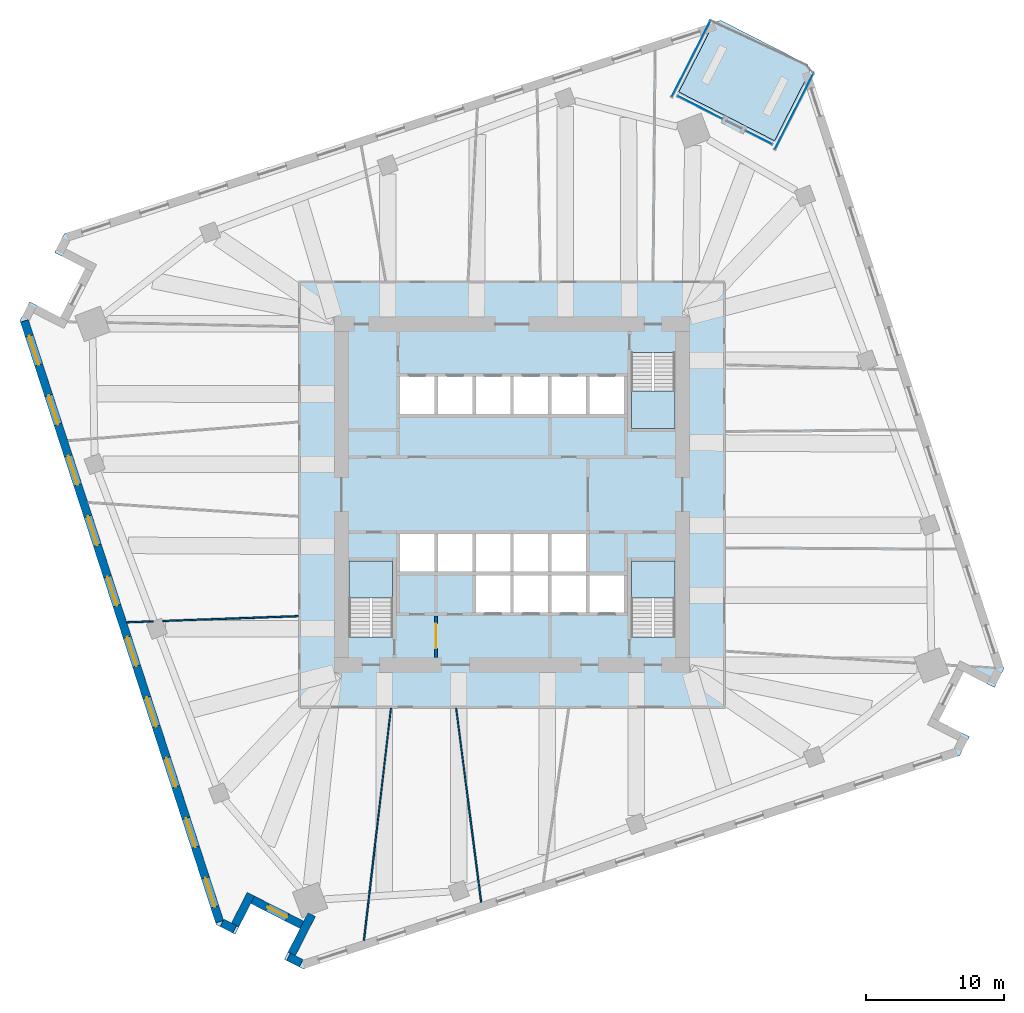
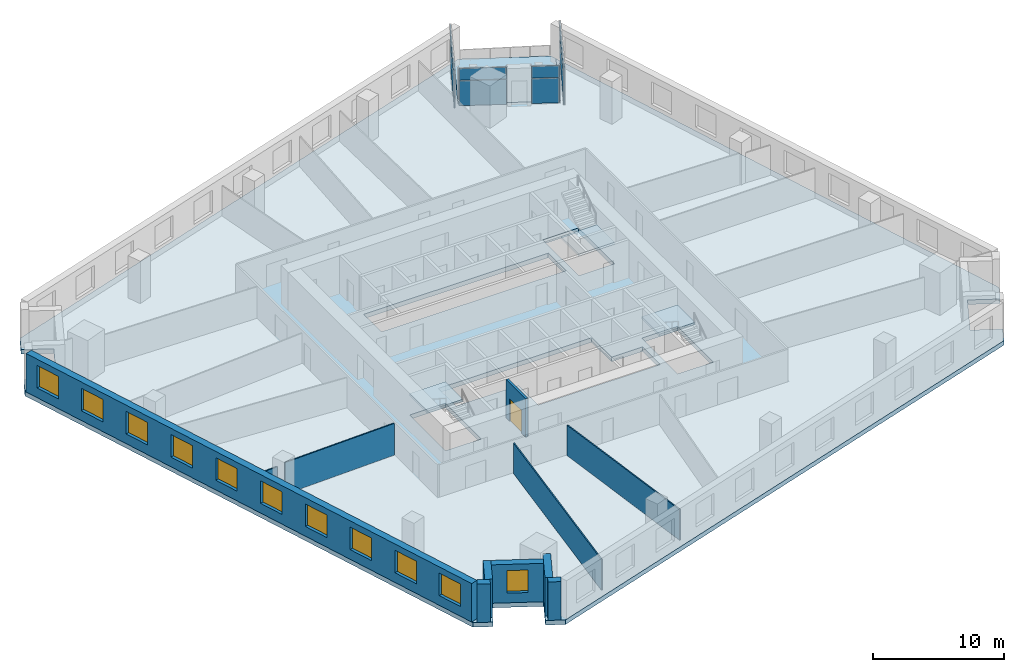
# One storey, part 5 of 12: 11 walls, 11 windows, 8 plates, 5 slabs, 1 door, 12 openings, 7 elements without a shape of their own.
"""IFC4 building model written with IfcOpenShell, lengths in metres."""

from ifc_helpers import new_model, si_unit, direction, frame, frame_2d, origin, origin_2d, place, context, subcontext, project, spatial, polyline, rectangle, outline, extrude, material, layer, layer_set, type_object, element, fill, aggregate, save


model = new_model("IFC4")

# Units and contexts
model_context = context("Model", 3, precision=1e-05, world=origin(), true_north=direction((0.0, 1.0)))
body_context = subcontext(model_context, "Body", "Model", "MODEL_VIEW")
ifc_project = project(units=[si_unit("LENGTHUNIT", "METRE"), si_unit("AREAUNIT", "SQUARE_METRE"), si_unit("VOLUMEUNIT", "CUBIC_METRE"), si_unit("PLANEANGLEUNIT", "RADIAN"), si_unit("MASSUNIT", "GRAM", prefix="KILO")], contexts=[model_context])

# Site, building, storey
site_placement = place(None, origin())
site = spatial("IfcSite", under=ifc_project, at=site_placement, CompositionType="ELEMENT")
building_placement = place(site_placement, origin())
building = spatial("IfcBuilding", under=site, at=building_placement, Name="Dilmun Exchange Tower", CompositionType="ELEMENT")
storey_placement = place(building_placement, frame((0.0, 0.0, 98.10009765625)))
storey = spatial("IfcBuildingStorey", under=building, at=storey_placement, Name="L22", CompositionType="ELEMENT", Elevation=98.10009765625)

# Stair, slab
ifc_material_1 = material(Name="Concrete C40/50", Category="concrete")
stair_type = type_object("IfcStairType", Name="Exit stair 1500 half-turn", PredefinedType="HALF_TURN_STAIR", material=ifc_material_1)
stair_1_placement = place(storey_placement, origin())
stair_1 = element("IfcStair", 1, at=stair_1_placement, inside=storey, type_object=stair_type, Name="L22 Protected exit stair ST1", PredefinedType="HALF_TURN_STAIR")
ifc_layer_1 = layer(ifc_material_1, 0.199951171875)
ifc_layer_set_1 = layer_set([ifc_layer_1], Name="Concrete C40/50")
slab_type_1 = type_object("IfcSlabType", Name="Exit stair landing 200", PredefinedType="LANDING", material=ifc_layer_set_1)
slab_1_placement = place(storey_placement, frame((0.0, 0.0, 1.7998046875)))
slab_1 = element("IfcSlab", 2, at=slab_1_placement, type_object=slab_type_1, Name="ST1 landing 1", PredefinedType="LANDING", context=body_context, shape_type="SweptSolid", body=[
    extrude(outline(polyline([(8.64990234375, 7.5), (8.64990234375, 4.800048828125), (11.800048828125, 4.800048828125), (11.800048828125, 7.5), (8.64990234375, 7.5)])), origin(), (0.0, 0.0, 1.0), 0.2001953125),
])
aggregate(stair_1, [slab_1])

stair_2_placement = place(storey_placement, origin())
stair_2 = element("IfcStair", 3, at=stair_2_placement, inside=storey, type_object=stair_type, Name="L22 Protected exit stair ST2", PredefinedType="HALF_TURN_STAIR")
slab_2_placement = place(storey_placement, frame((0.0, 0.0, 1.7998046875)))
slab_2 = element("IfcSlab", 4, at=slab_2_placement, type_object=slab_type_1, Name="ST2 landing 1", PredefinedType="LANDING", context=body_context, shape_type="SweptSolid", body=[
    extrude(outline(polyline([(-8.64990234375, -7.5), (-8.64990234375, -4.800048828125), (-11.800048828125, -4.800048828125), (-11.800048828125, -7.5), (-8.64990234375, -7.5)])), origin(), (0.0, 0.0, 1.0), 0.2001953125),
])
aggregate(stair_2, [slab_2])

stair_3_placement = place(storey_placement, origin())
stair_3 = element("IfcStair", 5, at=stair_3_placement, inside=storey, type_object=stair_type, Name="L22 Protected exit stair ST3", PredefinedType="HALF_TURN_STAIR")
slab_3_placement = place(storey_placement, frame((0.0, 0.0, 1.7998046875)))
slab_3 = element("IfcSlab", 6, at=slab_3_placement, type_object=slab_type_1, Name="ST3 landing 1", PredefinedType="LANDING", context=body_context, shape_type="SweptSolid", body=[
    extrude(outline(polyline([(11.800048828125, -7.5), (11.800048828125, -4.800048828125), (8.64990234375, -4.800048828125), (8.64990234375, -7.5), (11.800048828125, -7.5)])), origin(), (0.0, 0.0, 1.0), 0.2001953125),
])
aggregate(stair_3, [slab_3])

# Curtain wall, plates
ifc_material_2 = material(Name="Anodised aluminium and clear glass", Category="aluminium")
curtain_wall_type = type_object("IfcCurtainWallType", Name="Garden corner glazing", PredefinedType="NOTDEFINED", material=ifc_material_2)
curtain_wall_1_placement = place(storey_placement, origin())
curtain_wall_1 = element("IfcCurtainWall", 7, at=curtain_wall_1_placement, inside=storey, type_object=curtain_wall_type, Name="Garden corner glazing run GC1.1", PredefinedType="NOTDEFINED")
ifc_material_3 = material(Name="Clear glass", Category="glass")
ifc_layer_2 = layer(ifc_material_3, 0.028076171875)
ifc_layer_set_2 = layer_set([ifc_layer_2], Name="Clear glass")
plate_type = type_object("IfcPlateType", Name="Garden corner glazing glass panel 28", PredefinedType="CURTAIN_PANEL", material=ifc_layer_set_2)
plate_1_placement = place(storey_placement, frame((20.42822265625, 27.750244140625, 0.059814453125), z_axis=(0.0, 0.0, 1.0), x_axis=(-0.453988613418, -0.891007485315, 0.0)))
plate_1 = element("IfcPlate", 8, at=plate_1_placement, type_object=plate_type, Name="GC1.1 panel 1.1", PredefinedType="CURTAIN_PANEL", context=body_context, shape_type="SweptSolid", body=[
    extrude(rectangle(XDim=6.12646484375, YDim=0.028076171875, at=origin_2d()), origin(), (0.0, 0.0, 1.0), 2.31005859375),
])
plate_2_placement = place(storey_placement, frame((20.42822265625, 27.750244140625, 2.4296875), z_axis=(0.0, 0.0, 1.0), x_axis=(-0.453988613418, -0.891007485315, 0.0)))
plate_2 = element("IfcPlate", 9, at=plate_2_placement, type_object=plate_type, Name="GC1.1 panel 1.2", PredefinedType="CURTAIN_PANEL", context=body_context, shape_type="SweptSolid", body=[
    extrude(rectangle(XDim=6.12646484375, YDim=0.028076171875, at=origin_2d()), origin(), (0.0, 0.0, 1.0), 1.090087890625),
])
aggregate(curtain_wall_1, [plate_1, plate_2])

curtain_wall_2_placement = place(storey_placement, origin())
curtain_wall_2 = element("IfcCurtainWall", 10, at=curtain_wall_2_placement, inside=storey, type_object=curtain_wall_type, Name="Garden corner glazing run GC2.1", PredefinedType="NOTDEFINED")
plate_3_placement = place(storey_placement, frame((17.881591796875, 25.879150390625, 0.059814453125), z_axis=(0.0, 0.0, 1.0), x_axis=(-0.891016319837, 0.453971274184, 0.0)))
plate_3 = element("IfcPlate", 11, at=plate_3_placement, type_object=plate_type, Name="GC2.1 panel 1.1", PredefinedType="CURTAIN_PANEL", context=body_context, shape_type="SweptSolid", body=[
    extrude(rectangle(XDim=2.119140625, YDim=0.028076171875, at=origin_2d()), origin(), (0.0, 0.0, 1.0), 2.31005859375),
])
plate_4_placement = place(storey_placement, frame((17.881591796875, 25.879150390625, 2.4296875), z_axis=(0.0, 0.0, 1.0), x_axis=(-0.891016319837, 0.453971274184, 0.0)))
plate_4 = element("IfcPlate", 12, at=plate_4_placement, type_object=plate_type, Name="GC2.1 panel 1.2", PredefinedType="CURTAIN_PANEL", context=body_context, shape_type="SweptSolid", body=[
    extrude(rectangle(XDim=2.119140625, YDim=0.028076171875, at=origin_2d()), origin(), (0.0, 0.0, 1.0), 1.090087890625),
])
aggregate(curtain_wall_2, [plate_3, plate_4])

curtain_wall_3_placement = place(storey_placement, origin())
curtain_wall_3 = element("IfcCurtainWall", 13, at=curtain_wall_3_placement, inside=storey, type_object=curtain_wall_type, Name="Garden corner glazing run GC2.3", PredefinedType="NOTDEFINED")
plate_5_placement = place(storey_placement, frame((13.614501953125, 28.053466796875, 0.059814453125), z_axis=(0.0, 0.0, 1.0), x_axis=(-0.891004797005, 0.453993889512, 0.0)))
plate_5 = element("IfcPlate", 14, at=plate_5_placement, type_object=plate_type, Name="GC2.3 panel 1.1", PredefinedType="CURTAIN_PANEL", context=body_context, shape_type="SweptSolid", body=[
    extrude(rectangle(XDim=3.619140625, YDim=0.028076171875, at=origin_2d()), origin(), (0.0, 0.0, 1.0), 2.31005859375),
])
plate_6_placement = place(storey_placement, frame((13.614501953125, 28.053466796875, 2.4296875), z_axis=(0.0, 0.0, 1.0), x_axis=(-0.891004797005, 0.453993889512, 0.0)))
plate_6 = element("IfcPlate", 15, at=plate_6_placement, type_object=plate_type, Name="GC2.3 panel 1.2", PredefinedType="CURTAIN_PANEL", context=body_context, shape_type="SweptSolid", body=[
    extrude(rectangle(XDim=3.619140625, YDim=0.028076171875, at=origin_2d()), origin(), (0.0, 0.0, 1.0), 1.090087890625),
])
aggregate(curtain_wall_3, [plate_5, plate_6])

curtain_wall_4_placement = place(storey_placement, origin())
curtain_wall_4 = element("IfcCurtainWall", 16, at=curtain_wall_4_placement, inside=storey, type_object=curtain_wall_type, Name="Garden corner glazing run GC3.1", PredefinedType="NOTDEFINED")
plate_7_placement = place(storey_placement, frame((12.963134765625, 31.553955078125, 0.059814453125), z_axis=(0.0, 0.0, 1.0), x_axis=(0.453988613418, 0.891007485315, 0.0)))
plate_7 = element("IfcPlate", 17, at=plate_7_placement, type_object=plate_type, Name="GC3.1 panel 1.1", PredefinedType="CURTAIN_PANEL", context=body_context, shape_type="SweptSolid", body=[
    extrude(rectangle(XDim=6.12646484375, YDim=0.028076171875, at=origin_2d()), origin(), (0.0, 0.0, 1.0), 2.31005859375),
])
plate_8_placement = place(storey_placement, frame((12.963134765625, 31.553955078125, 2.4296875), z_axis=(0.0, 0.0, 1.0), x_axis=(0.453988613418, 0.891007485315, 0.0)))
plate_8 = element("IfcPlate", 18, at=plate_8_placement, type_object=plate_type, Name="GC3.1 panel 1.2", PredefinedType="CURTAIN_PANEL", context=body_context, shape_type="SweptSolid", body=[
    extrude(rectangle(XDim=6.12646484375, YDim=0.028076171875, at=origin_2d()), origin(), (0.0, 0.0, 1.0), 1.090087890625),
])
aggregate(curtain_wall_4, [plate_7, plate_8])

# Slabs
ifc_layer_3 = layer(ifc_material_1, 0.419921875)
ifc_layer_set_3 = layer_set([ifc_layer_3], Name="Concrete C40/50")
slab_type_2 = type_object("IfcSlabType", Name="RC floor slab 420", PredefinedType="FLOOR", material=ifc_layer_set_3)
slab_4_placement = place(storey_placement, frame((0.0, 0.0, -0.420166015625)))
element("IfcSlab", 19, at=slab_4_placement, inside=storey, type_object=slab_type_2, Name="Floor slab", PredefinedType="FLOOR", context=body_context, shape_type="SweptSolid", body=[
    extrude(outline(polyline([(34.94189453125, -13.971923828125), (32.714599609375, -12.8369140625), (30.8984375, -16.40087890625), (33.1259765625, -17.535888671875), (32.428955078125, -18.904296875), (-15.123779296875, -34.35498046875), (-16.4921875, -33.657958984375), (-15.357177734375, -31.430419921875), (-18.921142578125, -29.614501953125), (-20.05615234375, -31.841796875), (-21.42431640625, -31.144775390625), (-35.63916015625, 12.603759765625), (-34.94189453125, 13.971923828125), (-32.714599609375, 12.8369140625), (-30.8984375, 16.40087890625), (-33.1259765625, 17.535888671875), (-32.428955078125, 18.904296875), (14.6484375, 34.200439453125), (12.0849609375, 29.16943359375), (19.015380859375, 25.63818359375), (21.578857421875, 30.669189453125), (35.63916015625, -12.603759765625), (34.94189453125, -13.971923828125)]), holes=[polyline([(-8.64990234375, -4.800048828125), (-11.800048828125, -4.800048828125), (-11.800048828125, -10.294921875), (-8.64990234375, -10.294921875), (-8.64990234375, -4.800048828125)]), polyline([(11.800048828125, -4.800048828125), (8.64990234375, -4.800048828125), (8.64990234375, -10.294921875), (11.800048828125, -10.294921875), (11.800048828125, -4.800048828125)]), polyline([(-8.125, -2.85009765625), (-8.125, -5.550048828125), (-2.625, -5.550048828125), (-2.625, -8.550048828125), (8.125, -8.550048828125), (8.125, -5.85009765625), (5.375, -5.85009765625), (5.375, -2.85009765625), (-8.125, -2.85009765625)]), polyline([(-8.125, 5.85009765625), (8.125, 5.85009765625), (8.125, 8.550048828125), (-8.125, 8.550048828125), (-8.125, 5.85009765625)]), polyline([(8.64990234375, 10.294921875), (8.64990234375, 4.800048828125), (11.800048828125, 4.800048828125), (11.800048828125, 10.294921875), (8.64990234375, 10.294921875)])]), origin(), (0.0, 0.0, 1.0), 0.420166015625),
])
ifc_layer_4 = layer(ifc_material_1, 0.300048828125)
ifc_layer_set_4 = layer_set([ifc_layer_4], Name="Concrete C40/50")
slab_type_3 = type_object("IfcSlabType", Name="RC garden terrace slab 300", PredefinedType="FLOOR", material=ifc_layer_set_4)
slab_5_placement = place(storey_placement, frame((0.0, 0.0, -0.300048828125)))
element("IfcSlab", 20, at=slab_5_placement, inside=storey, type_object=slab_type_3, Name="Garden terrace slab", PredefinedType="FLOOR", context=body_context, shape_type="SweptSolid", body=[
    extrude(outline(polyline([(12.0849609375, 29.16943359375), (14.6484375, 34.200439453125), (15.123779296875, 34.35498046875), (21.42431640625, 31.144775390625), (21.578857421875, 30.669189453125), (19.015380859375, 25.63818359375), (12.0849609375, 29.16943359375)])), origin(), (0.0, 0.0, 1.0), 0.300048828125),
])

# Wall, opening, door
ifc_layer_5 = layer(ifc_material_1, 0.199951171875)
ifc_layer_set_5 = layer_set([ifc_layer_5], Name="Concrete C40/50")
wall_type_1 = type_object("IfcWallType", Name="Core partition wall 200", PredefinedType="PARTITIONING", material=ifc_layer_set_5)
wall_1_placement = place(storey_placement, frame((-5.5, -11.794921875, 0.0), z_axis=(0.0, 0.0, 1.0), x_axis=(0.0, 1.0, 0.0)))
wall_1 = element("IfcWall", 21, at=wall_1_placement, inside=storey, type_object=wall_type_1, Name="L22 core partition wall 01", PredefinedType="PARTITIONING", context=body_context, shape_type="SweptSolid", body=[
    extrude(rectangle(XDim=2.989990234375, YDim=0.199951171875, at=frame_2d((1.4951171875, 0.0))), origin(), (0.0, 0.0, 1.0), 3.579833984375),
])
opening_1_placement = place(wall_1_placement, frame((0.657470703125, 0.0, 0.0)))
opening_1 = element("IfcOpeningElement", 22, at=opening_1_placement, cuts=wall_1, Name="Opening CD5", PredefinedType="OPENING", context=body_context, shape_type="SweptSolid", body=[
    extrude(rectangle(XDim=1.800048828125, YDim=2.10009765625, at=frame_2d((0.89990234375, 1.050048828125))), frame((0.0, 0.10986328125, 0.0), z_axis=(0.0, -1.0, 0.0), x_axis=(1.0, 0.0, 0.0)), (0.0, 0.0, 1.0), 0.219970703125),
])
ifc_material_4 = material(Name="Fire-rated steel door set", Category="steel")
door_type = type_object("IfcDoorType", Name="Stair exit door 1800x2100", OperationType="SINGLE_SWING_LEFT", PredefinedType="DOOR", material=ifc_material_4)
door_placement = place(opening_1_placement, origin())
door = element("IfcDoor", 23, at=door_placement, inside=storey, type_object=door_type, Name="L22 door Service lobby east", OperationType="SINGLE_SWING_LEFT", OverallHeight=2.10009765625, OverallWidth=1.800048828125, PredefinedType="DOOR", context=body_context, shape_type="SweptSolid", body=[
    extrude(rectangle(XDim=1.800048828125, YDim=2.10009765625, at=frame_2d((0.89990234375, 1.050048828125))), frame((0.0, 0.02490234375, 0.0), z_axis=(0.0, -1.0, 0.0), x_axis=(1.0, 0.0, 0.0)), (0.0, 0.0, 1.0), 0.050048828125),
])
fill(opening_1, door)

# Walls
ifc_material_5 = material(Name="Partition 100")
ifc_layer_6 = layer(ifc_material_5, 0.10009765625)
ifc_layer_set_6 = layer_set([ifc_layer_6], Name="Partition 100")
wall_type_2 = type_object("IfcWallType", Name="Partition 100", PredefinedType="PARTITIONING", material=ifc_layer_set_6)
wall_2_placement = place(storey_placement, frame((-27.906005859375, -9.248291015625, 0.0), z_axis=(0.0, 0.0, 1.0), x_axis=(0.999356144168, 0.035878922986, 0.0)))
element("IfcWall", 24, at=wall_2_placement, inside=storey, type_object=wall_type_2, Name="Partition", PredefinedType="PARTITIONING", context=body_context, shape_type="SweptSolid", body=[
    extrude(rectangle(XDim=1.9052734375, YDim=0.10009765625, at=frame_2d((0.95263671875, 0.0))), origin(), (0.0, 0.0, 1.0), 2.829833984375),
])
wall_3_placement = place(storey_placement, frame((-25.297119140625, -9.154541015625, 0.0), z_axis=(0.0, 0.0, 1.0), x_axis=(0.999351792824, 0.035999919148, 0.0)))
element("IfcWall", 25, at=wall_3_placement, inside=storey, type_object=wall_type_2, Name="Partition", PredefinedType="PARTITIONING", context=body_context, shape_type="SweptSolid", body=[
    extrude(rectangle(XDim=9.82666015625, YDim=0.10009765625, at=frame_2d((4.913330078125, 0.0))), origin(), (0.0, 0.0, 1.0), 2.9599609375),
])
wall_4_placement = place(storey_placement, frame((-10.7255859375, -32.29296875, 0.0), z_axis=(0.0, 0.0, 1.0), x_axis=(0.115510456464, 0.993306264174, 0.0)))
element("IfcWall", 26, at=wall_4_placement, inside=storey, type_object=wall_type_2, Name="Partition", PredefinedType="PARTITIONING", context=body_context, shape_type="SweptSolid", body=[
    extrude(rectangle(XDim=16.925537109375, YDim=0.10009765625, at=frame_2d((8.462890625, 0.0))), origin(), (0.0, 0.0, 1.0), 2.829833984375),
])
wall_5_placement = place(storey_placement, frame((-4.04443359375, -15.4814453125, 0.0), z_axis=(0.0, 0.0, 1.0), x_axis=(0.12789369757, -0.991787881617, 0.0)))
element("IfcWall", 27, at=wall_5_placement, inside=storey, type_object=wall_type_2, Name="Partition", PredefinedType="PARTITIONING", context=body_context, shape_type="SweptSolid", body=[
    extrude(rectangle(XDim=14.168212890625, YDim=0.10009765625, at=frame_2d((7.083984375, 0.0))), origin(), (0.0, 0.0, 1.0), 2.829833984375),
])

# Wall, openings, windows
ifc_material_6 = material(Name="Precast concrete C50/60", Category="concrete")
ifc_layer_7 = layer(ifc_material_6, 0.60009765625)
ifc_layer_set_7 = layer_set([ifc_layer_7], Name="Precast concrete C50/60")
wall_type_3 = type_object("IfcWallType", Name="Precast stone-clad wall 600", PredefinedType="STANDARD", material=ifc_layer_set_7)
wall_6_placement = place(storey_placement, frame((-35.3154296875, 12.578369140625, 0.0), z_axis=(0.0, 0.0, 1.0), x_axis=(0.309016329352, -0.951056732374, 0.0)))
wall_6 = element("IfcWall", 28, at=wall_6_placement, inside=storey, type_object=wall_type_3, Name="Facade wall L22-09", PredefinedType="STANDARD", context=body_context, shape_type="SweptSolid", body=[
    extrude(rectangle(XDim=45.75146484375, YDim=0.60009765625, at=frame_2d((22.875732421875, 0.0))), origin(), (0.0, 0.0, 1.0), 3.579833984375),
])
opening_2_placement = place(wall_6_placement, frame((1.137939453125, 0.0, 0.89990234375)))
opening_2 = element("IfcOpeningElement", 29, at=opening_2_placement, cuts=wall_6, Name="Opening W220-210", PredefinedType="OPENING", context=body_context, shape_type="SweptSolid", body=[
    extrude(rectangle(XDim=2.199951171875, YDim=2.10009765625, at=frame_2d((1.10009765625, 1.050048828125))), frame((0.0, 0.31005859375, 0.0), z_axis=(0.0, -1.0, 0.0), x_axis=(1.0, 0.0, 0.0)), (0.0, 0.0, 1.0), 0.6201171875),
])
opening_3_placement = place(wall_6_placement, frame((5.67578125, 0.0, 0.89990234375)))
opening_3 = element("IfcOpeningElement", 30, at=opening_3_placement, cuts=wall_6, Name="Opening W220-210", PredefinedType="OPENING", context=body_context, shape_type="SweptSolid", body=[
    extrude(rectangle(XDim=2.199951171875, YDim=2.10009765625, at=frame_2d((1.10009765625, 1.050048828125))), frame((0.0, 0.31005859375, 0.0), z_axis=(0.0, -1.0, 0.0), x_axis=(1.0, 0.0, 0.0)), (0.0, 0.0, 1.0), 0.6201171875),
])
opening_4_placement = place(wall_6_placement, frame((10.275634765625, 0.0, 0.89990234375)))
opening_4 = element("IfcOpeningElement", 31, at=opening_4_placement, cuts=wall_6, Name="Opening W220-210", PredefinedType="OPENING", context=body_context, shape_type="SweptSolid", body=[
    extrude(rectangle(XDim=2.199951171875, YDim=2.10009765625, at=frame_2d((1.10009765625, 1.050048828125))), frame((0.0, 0.31005859375, 0.0), z_axis=(0.0, -1.0, 0.0), x_axis=(1.0, 0.0, 0.0)), (0.0, 0.0, 1.0), 0.6201171875),
])
opening_5_placement = place(wall_6_placement, frame((14.875732421875, 0.0, 0.89990234375)))
opening_5 = element("IfcOpeningElement", 32, at=opening_5_placement, cuts=wall_6, Name="Opening W220-210", PredefinedType="OPENING", context=body_context, shape_type="SweptSolid", body=[
    extrude(rectangle(XDim=2.199951171875, YDim=2.10009765625, at=frame_2d((1.10009765625, 1.050048828125))), frame((0.0, 0.31005859375, 0.0), z_axis=(0.0, -1.0, 0.0), x_axis=(1.0, 0.0, 0.0)), (0.0, 0.0, 1.0), 0.6201171875),
])
opening_6_placement = place(wall_6_placement, frame((19.4755859375, 0.0, 0.89990234375)))
opening_6 = element("IfcOpeningElement", 33, at=opening_6_placement, cuts=wall_6, Name="Opening W220-210", PredefinedType="OPENING", context=body_context, shape_type="SweptSolid", body=[
    extrude(rectangle(XDim=2.199951171875, YDim=2.10009765625, at=frame_2d((1.10009765625, 1.050048828125))), frame((0.0, 0.31005859375, 0.0), z_axis=(0.0, -1.0, 0.0), x_axis=(1.0, 0.0, 0.0)), (0.0, 0.0, 1.0), 0.6201171875),
])
opening_7_placement = place(wall_6_placement, frame((24.07568359375, 0.0, 0.89990234375)))
opening_7 = element("IfcOpeningElement", 34, at=opening_7_placement, cuts=wall_6, Name="Opening W220-210", PredefinedType="OPENING", context=body_context, shape_type="SweptSolid", body=[
    extrude(rectangle(XDim=2.199951171875, YDim=2.10009765625, at=frame_2d((1.10009765625, 1.050048828125))), frame((0.0, 0.31005859375, 0.0), z_axis=(0.0, -1.0, 0.0), x_axis=(1.0, 0.0, 0.0)), (0.0, 0.0, 1.0), 0.6201171875),
])
opening_8_placement = place(wall_6_placement, frame((28.67578125, 0.0, 0.89990234375)))
opening_8 = element("IfcOpeningElement", 35, at=opening_8_placement, cuts=wall_6, Name="Opening W220-210", PredefinedType="OPENING", context=body_context, shape_type="SweptSolid", body=[
    extrude(rectangle(XDim=2.199951171875, YDim=2.10009765625, at=frame_2d((1.10009765625, 1.050048828125))), frame((0.0, 0.31005859375, 0.0), z_axis=(0.0, -1.0, 0.0), x_axis=(1.0, 0.0, 0.0)), (0.0, 0.0, 1.0), 0.6201171875),
])
opening_9_placement = place(wall_6_placement, frame((33.275634765625, 0.0, 0.89990234375)))
opening_9 = element("IfcOpeningElement", 36, at=opening_9_placement, cuts=wall_6, Name="Opening W220-210", PredefinedType="OPENING", context=body_context, shape_type="SweptSolid", body=[
    extrude(rectangle(XDim=2.199951171875, YDim=2.10009765625, at=frame_2d((1.10009765625, 1.050048828125))), frame((0.0, 0.31005859375, 0.0), z_axis=(0.0, -1.0, 0.0), x_axis=(1.0, 0.0, 0.0)), (0.0, 0.0, 1.0), 0.6201171875),
])
opening_10_placement = place(wall_6_placement, frame((37.875732421875, 0.0, 0.89990234375)))
opening_10 = element("IfcOpeningElement", 37, at=opening_10_placement, cuts=wall_6, Name="Opening W220-210", PredefinedType="OPENING", context=body_context, shape_type="SweptSolid", body=[
    extrude(rectangle(XDim=2.199951171875, YDim=2.10009765625, at=frame_2d((1.10009765625, 1.050048828125))), frame((0.0, 0.31005859375, 0.0), z_axis=(0.0, -1.0, 0.0), x_axis=(1.0, 0.0, 0.0)), (0.0, 0.0, 1.0), 0.6201171875),
])
opening_11_placement = place(wall_6_placement, frame((42.41357421875, 0.0, 0.89990234375)))
opening_11 = element("IfcOpeningElement", 38, at=opening_11_placement, cuts=wall_6, Name="Opening W220-210", PredefinedType="OPENING", context=body_context, shape_type="SweptSolid", body=[
    extrude(rectangle(XDim=2.199951171875, YDim=2.10009765625, at=frame_2d((1.10009765625, 1.050048828125))), frame((0.0, 0.31005859375, 0.0), z_axis=(0.0, -1.0, 0.0), x_axis=(1.0, 0.0, 0.0)), (0.0, 0.0, 1.0), 0.6201171875),
])
ifc_material_7 = material(Name="Clear low-emissivity glass in aluminium frame", Category="aluminium")
window_type_1 = type_object("IfcWindowType", Name="Punched window 2200 x 2100", PartitioningType="DOUBLE_PANEL_VERTICAL", PredefinedType="WINDOW", material=ifc_material_7)
window_1_placement = place(opening_2_placement, origin())
window_1 = element("IfcWindow", 39, at=window_1_placement, inside=storey, type_object=window_type_1, Name="Window 10.1", OverallHeight=2.10009765625, OverallWidth=2.199951171875, PartitioningType="SINGLE_PANEL", PredefinedType="WINDOW", context=body_context, shape_type="SweptSolid", body=[
    extrude(rectangle(XDim=2.199951171875, YDim=2.10009765625, at=frame_2d((1.10009765625, 1.050048828125))), frame((0.0, 0.030029296875, 0.0), z_axis=(0.0, -1.0, 0.0), x_axis=(1.0, 0.0, 0.0)), (0.0, 0.0, 1.0), 0.06005859375),
])
fill(opening_2, window_1)
window_2_placement = place(opening_3_placement, origin())
window_2 = element("IfcWindow", 40, at=window_2_placement, inside=storey, type_object=window_type_1, Name="Window 10.2", OverallHeight=2.10009765625, OverallWidth=2.199951171875, PartitioningType="SINGLE_PANEL", PredefinedType="WINDOW", context=body_context, shape_type="SweptSolid", body=[
    extrude(rectangle(XDim=2.199951171875, YDim=2.10009765625, at=frame_2d((1.10009765625, 1.050048828125))), frame((0.0, 0.030029296875, 0.0), z_axis=(0.0, -1.0, 0.0), x_axis=(1.0, 0.0, 0.0)), (0.0, 0.0, 1.0), 0.06005859375),
])
fill(opening_3, window_2)
window_3_placement = place(opening_4_placement, origin())
window_3 = element("IfcWindow", 41, at=window_3_placement, inside=storey, type_object=window_type_1, Name="Window 10.3", OverallHeight=2.10009765625, OverallWidth=2.199951171875, PartitioningType="SINGLE_PANEL", PredefinedType="WINDOW", context=body_context, shape_type="SweptSolid", body=[
    extrude(rectangle(XDim=2.199951171875, YDim=2.10009765625, at=frame_2d((1.10009765625, 1.050048828125))), frame((0.0, 0.030029296875, 0.0), z_axis=(0.0, -1.0, 0.0), x_axis=(1.0, 0.0, 0.0)), (0.0, 0.0, 1.0), 0.06005859375),
])
fill(opening_4, window_3)
window_4_placement = place(opening_5_placement, origin())
window_4 = element("IfcWindow", 42, at=window_4_placement, inside=storey, type_object=window_type_1, Name="Window 10.4", OverallHeight=2.10009765625, OverallWidth=2.199951171875, PartitioningType="SINGLE_PANEL", PredefinedType="WINDOW", context=body_context, shape_type="SweptSolid", body=[
    extrude(rectangle(XDim=2.199951171875, YDim=2.10009765625, at=frame_2d((1.10009765625, 1.050048828125))), frame((0.0, 0.030029296875, 0.0), z_axis=(0.0, -1.0, 0.0), x_axis=(1.0, 0.0, 0.0)), (0.0, 0.0, 1.0), 0.06005859375),
])
fill(opening_5, window_4)
window_5_placement = place(opening_6_placement, origin())
window_5 = element("IfcWindow", 43, at=window_5_placement, inside=storey, type_object=window_type_1, Name="Window 10.5", OverallHeight=2.10009765625, OverallWidth=2.199951171875, PartitioningType="SINGLE_PANEL", PredefinedType="WINDOW", context=body_context, shape_type="SweptSolid", body=[
    extrude(rectangle(XDim=2.199951171875, YDim=2.10009765625, at=frame_2d((1.10009765625, 1.050048828125))), frame((0.0, 0.030029296875, 0.0), z_axis=(0.0, -1.0, 0.0), x_axis=(1.0, 0.0, 0.0)), (0.0, 0.0, 1.0), 0.06005859375),
])
fill(opening_6, window_5)
window_6_placement = place(opening_7_placement, origin())
window_6 = element("IfcWindow", 44, at=window_6_placement, inside=storey, type_object=window_type_1, Name="Window 10.6", OverallHeight=2.10009765625, OverallWidth=2.199951171875, PartitioningType="SINGLE_PANEL", PredefinedType="WINDOW", context=body_context, shape_type="SweptSolid", body=[
    extrude(rectangle(XDim=2.199951171875, YDim=2.10009765625, at=frame_2d((1.10009765625, 1.050048828125))), frame((0.0, 0.030029296875, 0.0), z_axis=(0.0, -1.0, 0.0), x_axis=(1.0, 0.0, 0.0)), (0.0, 0.0, 1.0), 0.06005859375),
])
fill(opening_7, window_6)
window_7_placement = place(opening_8_placement, origin())
window_7 = element("IfcWindow", 45, at=window_7_placement, inside=storey, type_object=window_type_1, Name="Window 10.7", OverallHeight=2.10009765625, OverallWidth=2.199951171875, PartitioningType="SINGLE_PANEL", PredefinedType="WINDOW", context=body_context, shape_type="SweptSolid", body=[
    extrude(rectangle(XDim=2.199951171875, YDim=2.10009765625, at=frame_2d((1.10009765625, 1.050048828125))), frame((0.0, 0.030029296875, 0.0), z_axis=(0.0, -1.0, 0.0), x_axis=(1.0, 0.0, 0.0)), (0.0, 0.0, 1.0), 0.06005859375),
])
fill(opening_8, window_7)
window_8_placement = place(opening_9_placement, origin())
window_8 = element("IfcWindow", 46, at=window_8_placement, inside=storey, type_object=window_type_1, Name="Window 10.8", OverallHeight=2.10009765625, OverallWidth=2.199951171875, PartitioningType="SINGLE_PANEL", PredefinedType="WINDOW", context=body_context, shape_type="SweptSolid", body=[
    extrude(rectangle(XDim=2.199951171875, YDim=2.10009765625, at=frame_2d((1.10009765625, 1.050048828125))), frame((0.0, 0.030029296875, 0.0), z_axis=(0.0, -1.0, 0.0), x_axis=(1.0, 0.0, 0.0)), (0.0, 0.0, 1.0), 0.06005859375),
])
fill(opening_9, window_8)
window_9_placement = place(opening_10_placement, origin())
window_9 = element("IfcWindow", 47, at=window_9_placement, inside=storey, type_object=window_type_1, Name="Window 10.9", OverallHeight=2.10009765625, OverallWidth=2.199951171875, PartitioningType="SINGLE_PANEL", PredefinedType="WINDOW", context=body_context, shape_type="SweptSolid", body=[
    extrude(rectangle(XDim=2.199951171875, YDim=2.10009765625, at=frame_2d((1.10009765625, 1.050048828125))), frame((0.0, 0.030029296875, 0.0), z_axis=(0.0, -1.0, 0.0), x_axis=(1.0, 0.0, 0.0)), (0.0, 0.0, 1.0), 0.06005859375),
])
fill(opening_10, window_9)
window_10_placement = place(opening_11_placement, origin())
window_10 = element("IfcWindow", 48, at=window_10_placement, inside=storey, type_object=window_type_1, Name="Window 10.10", OverallHeight=2.10009765625, OverallWidth=2.199951171875, PartitioningType="SINGLE_PANEL", PredefinedType="WINDOW", context=body_context, shape_type="SweptSolid", body=[
    extrude(rectangle(XDim=2.199951171875, YDim=2.10009765625, at=frame_2d((1.10009765625, 1.050048828125))), frame((0.0, 0.030029296875, 0.0), z_axis=(0.0, -1.0, 0.0), x_axis=(1.0, 0.0, 0.0)), (0.0, 0.0, 1.0), 0.06005859375),
])
fill(opening_11, window_10)

# Walls
wall_7_placement = place(storey_placement, frame((-20.999267578125, -31.024658203125, 0.0), z_axis=(0.0, 0.0, 1.0), x_axis=(0.890973169717, -0.454055955632, 0.0)))
element("IfcWall", 49, at=wall_7_placement, inside=storey, type_object=wall_type_3, Name="Facade wall L22-10", PredefinedType="STANDARD", context=body_context, shape_type="SweptSolid", body=[
    extrude(rectangle(XDim=1.011474609375, YDim=0.60009765625, at=frame_2d((0.505859375, 0.0))), origin(), (0.0, 0.0, 1.0), 3.579833984375),
])
wall_8_placement = place(storey_placement, frame((-20.051025390625, -31.171142578125, 0.0), z_axis=(0.0, 0.0, 1.0), x_axis=(0.453997461601, 0.891002976909, 0.0)))
element("IfcWall", 50, at=wall_8_placement, inside=storey, type_object=wall_type_3, Name="Facade wall L22-11", PredefinedType="STANDARD", context=body_context, shape_type="SweptSolid", body=[
    extrude(rectangle(XDim=2.5, YDim=0.60009765625, at=frame_2d((1.25, 0.0))), origin(), (0.0, 0.0, 1.0), 3.579833984375),
])

# Wall, opening, window
wall_9_placement = place(storey_placement, frame((-18.784912109375, -29.34716796875, 0.0), z_axis=(0.0, 0.0, 1.0), x_axis=(0.891007820683, -0.453987955216, 0.0)))
wall_9 = element("IfcWall", 51, at=wall_9_placement, inside=storey, type_object=wall_type_3, Name="Facade wall L22-12", PredefinedType="STANDARD", context=body_context, shape_type="SweptSolid", body=[
    extrude(rectangle(XDim=4.0, YDim=0.60009765625, at=frame_2d((2.0, 0.0))), origin(), (0.0, 0.0, 1.0), 3.579833984375),
])
opening_12_placement = place(wall_9_placement, frame((1.199951171875, 0.0, 0.89990234375)))
opening_12 = element("IfcOpeningElement", 52, at=opening_12_placement, cuts=wall_9, Name="Opening W160-210", PredefinedType="OPENING", context=body_context, shape_type="SweptSolid", body=[
    extrude(rectangle(XDim=1.60009765625, YDim=2.10009765625, at=frame_2d((0.800048828125, 1.050048828125))), frame((0.0, 0.31005859375, 0.0), z_axis=(0.0, -1.0, 0.0), x_axis=(1.0, 0.0, 0.0)), (0.0, 0.0, 1.0), 0.6201171875),
])
window_type_2 = type_object("IfcWindowType", Name="Punched window 1600 x 2100", PartitioningType="DOUBLE_PANEL_VERTICAL", PredefinedType="WINDOW", material=ifc_material_7)
window_11_placement = place(opening_12_placement, origin())
window_11 = element("IfcWindow", 53, at=window_11_placement, inside=storey, type_object=window_type_2, Name="Window 13.1", OverallHeight=2.10009765625, OverallWidth=1.60009765625, PartitioningType="SINGLE_PANEL", PredefinedType="WINDOW", context=body_context, shape_type="SweptSolid", body=[
    extrude(rectangle(XDim=1.60009765625, YDim=2.10009765625, at=frame_2d((0.800048828125, 1.050048828125))), frame((0.0, 0.030029296875, 0.0), z_axis=(0.0, -1.0, 0.0), x_axis=(1.0, 0.0, 0.0)), (0.0, 0.0, 1.0), 0.06005859375),
])
fill(opening_12, window_11)

# Walls
wall_10_placement = place(storey_placement, frame((-14.506103515625, -30.4208984375, 0.0), z_axis=(0.0, 0.0, 1.0), x_axis=(-0.453975143947, -0.891014348189, 0.0)))
element("IfcWall", 54, at=wall_10_placement, inside=storey, type_object=wall_type_3, Name="Facade wall L22-13", PredefinedType="STANDARD", context=body_context, shape_type="SweptSolid", body=[
    extrude(rectangle(XDim=3.185791015625, YDim=0.60009765625, at=frame_2d((1.5927734375, 0.0))), origin(), (0.0, 0.0, 1.0), 3.579833984375),
])
wall_11_placement = place(storey_placement, frame((-16.177734375, -33.4814453125, 0.0), z_axis=(0.0, 0.0, 1.0), x_axis=(0.89107081483, -0.453864300157, 0.0)))
element("IfcWall", 55, at=wall_11_placement, inside=storey, type_object=wall_type_3, Name="Facade wall L22-14", PredefinedType="STANDARD", context=body_context, shape_type="SweptSolid", body=[
    extrude(rectangle(XDim=1.01123046875, YDim=0.60009765625, at=frame_2d((0.505615234375, 0.0))), origin(), (0.0, 0.0, 1.0), 3.579833984375),
])

save(model, "model.ifc")
